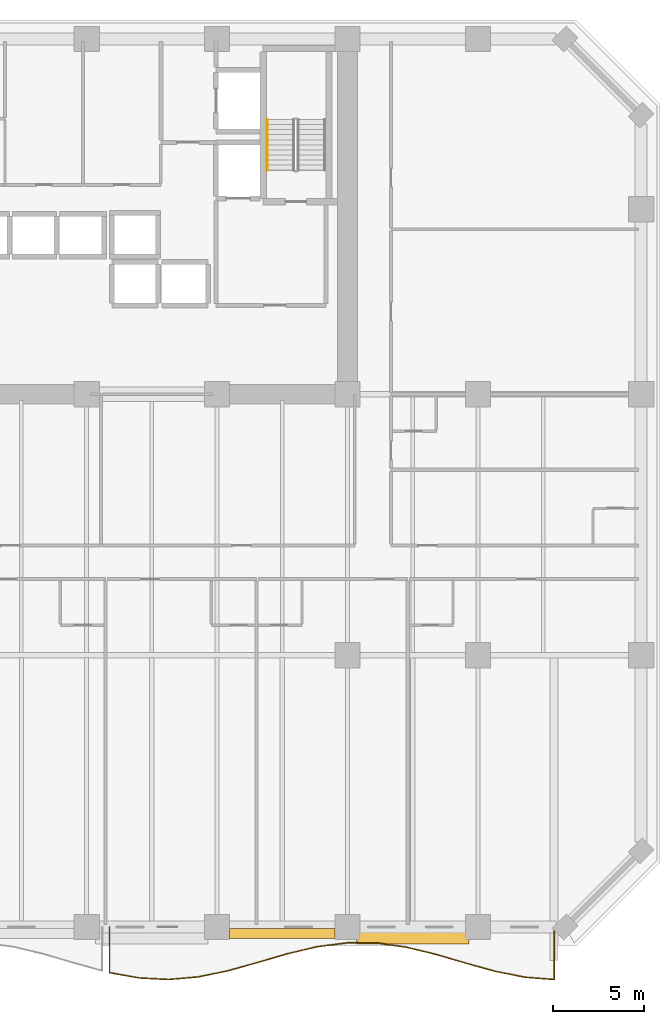
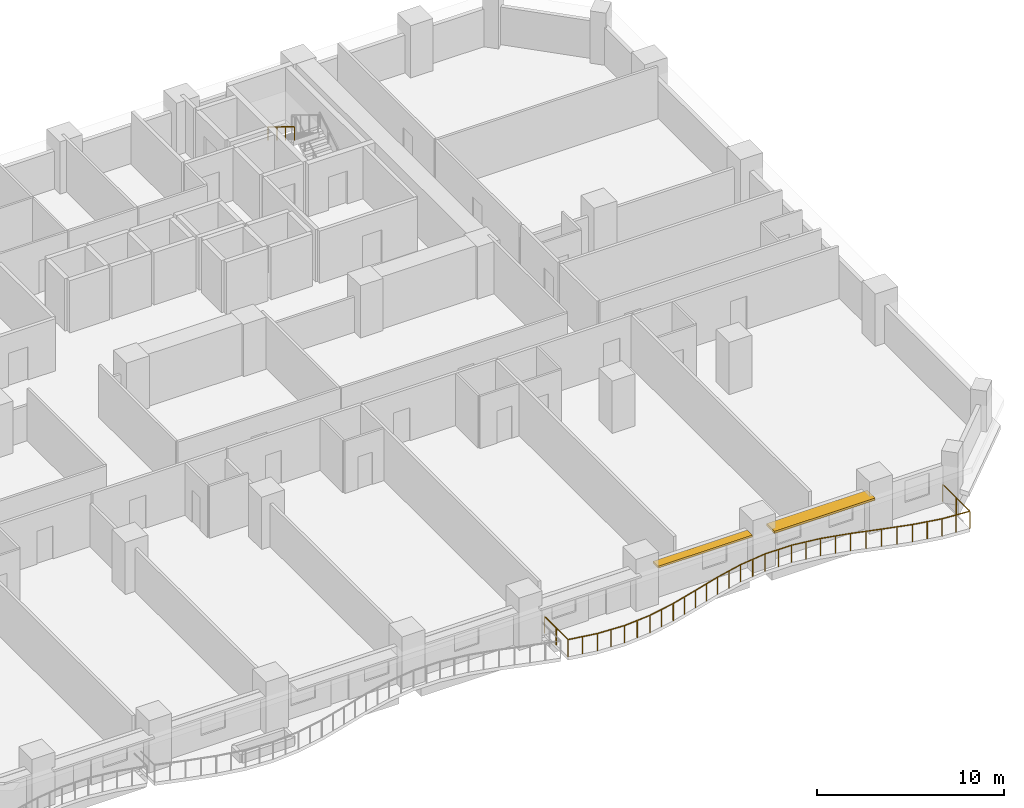
# One storey, part 13 of 14: 2 railings, 2 shading devices.
"""IFC4 building model written with IfcOpenShell, lengths in metres."""

from ifc_helpers import new_model, si_unit, direction, frame, origin, origin_2d, place, context, subcontext, project, spatial, rectangle, extrude, material, layer, layer_set, type_object, element, save


model = new_model("IFC4")

# Units and contexts
model_context = context("Model", 3, precision=1e-05, world=origin(), true_north=direction((0.0, 1.0)))
body_context = subcontext(model_context, "Body", "Model", "MODEL_VIEW")
ifc_project = project(units=[si_unit("LENGTHUNIT", "METRE"), si_unit("AREAUNIT", "SQUARE_METRE"), si_unit("VOLUMEUNIT", "CUBIC_METRE"), si_unit("PLANEANGLEUNIT", "RADIAN"), si_unit("MASSUNIT", "GRAM", prefix="KILO")], contexts=[model_context])

# Site, building, storey
site_placement = place(None, origin())
site = spatial("IfcSite", under=ifc_project, at=site_placement, CompositionType="ELEMENT")
building_placement = place(site_placement, origin())
building = spatial("IfcBuilding", under=site, at=building_placement, Name="Kaelvorn Grand Hotel", CompositionType="ELEMENT")
storey_placement = place(building_placement, frame((0.0, 0.0, 76.39990234375)))
storey = spatial("IfcBuildingStorey", under=building, at=storey_placement, Name="L17", CompositionType="ELEMENT", Elevation=76.39990234375)

# Railings
ifc_material_1 = material(Name="Stainless Steel", Category="steel")
railing_type_1 = type_object("IfcRailingType", Name="RL-BALC-1150", PredefinedType="BALUSTRADE", material=ifc_material_1)
railing_1_placement = place(storey_placement, frame((54.666748046875, 0.0, 0.0)))
element("IfcRailing", 1, at=railing_1_placement, inside=storey, type_object=railing_type_1, Name="L17 Scalloped Wave Balcony Balustrade GR1-3", PredefinedType="BALUSTRADE", context=body_context, shape_type="SweptSolid", body=[
    extrude(rectangle(XDim=0.048095703125, YDim=0.048095703125, at=origin_2d()), frame((0.0, 0.0, 1.1259765625), z_axis=(0.0, -1.0, 0.0), x_axis=(1.0, 0.0, 0.0)), (0.0, 0.0, 1.0), 2.521484375),
    extrude(rectangle(XDim=0.048095703125, YDim=0.048095703125, at=origin_2d()), frame((0.0, -2.521484375, 1.1259765625), z_axis=(0.984383042767, -0.176039839563, 0.0), x_axis=(0.176039839563, 0.984383042767, 0.0)), (0.0, 0.0, 1.0), 1.661376953125),
    extrude(rectangle(XDim=0.048095703125, YDim=0.048095703125, at=origin_2d()), frame((1.635498046875, -2.81396484375, 1.1259765625), z_axis=(0.998684141863, -0.05128337734, 0.0), x_axis=(0.05128337734, 0.998684141863, 0.0)), (0.0, 0.0, 1.0), 1.6376953125),
    extrude(rectangle(XDim=0.048095703125, YDim=0.048095703125, at=origin_2d()), frame((3.27099609375, -2.89794921875, 1.1259765625), z_axis=(0.996182895251, 0.087290544785, 0.0), x_axis=(-0.087290544785, 0.996182895251, 0.0)), (0.0, 0.0, 1.0), 1.641845703125),
    extrude(rectangle(XDim=0.048095703125, YDim=0.048095703125, at=origin_2d()), frame((4.906494140625, -2.754638671875, 1.1259765625), z_axis=(0.97923741506, 0.202716760401, 0.0), x_axis=(-0.202716760401, 0.97923741506, 0.0)), (0.0, 0.0, 1.0), 1.67041015625),
    extrude(rectangle(XDim=0.048095703125, YDim=0.048095703125, at=origin_2d()), frame((6.542236328125, -2.416015625, 1.1259765625), z_axis=(0.962804134231, 0.270200294425, 0.0), x_axis=(-0.270200294425, 0.962804134231, 0.0)), (0.0, 0.0, 1.0), 1.69873046875),
    extrude(rectangle(XDim=0.048095703125, YDim=0.048095703125, at=origin_2d()), frame((8.177734375, -1.95703125, 1.1259765625), z_axis=(0.959995184835, 0.280016508608, 0.0), x_axis=(-0.280016508608, 0.959995184835, 0.0)), (0.0, 0.0, 1.0), 1.70361328125),
    extrude(rectangle(XDim=0.048095703125, YDim=0.048095703125, at=origin_2d()), frame((9.813232421875, -1.47998046875, 1.1259765625), z_axis=(0.972806214685, 0.231620527306, 0.0), x_axis=(-0.231620527306, 0.972806214685, 0.0)), (0.0, 0.0, 1.0), 1.68115234375),
    extrude(rectangle(XDim=0.048095703125, YDim=0.048095703125, at=origin_2d()), frame((11.44873046875, -1.090576171875, 1.1259765625), z_axis=(0.99146537283, 0.130370297532, 0.0), x_axis=(-0.130370297532, 0.99146537283, 0.0)), (0.0, 0.0, 1.0), 1.64990234375),
    extrude(rectangle(XDim=0.048095703125, YDim=0.048095703125, at=origin_2d()), frame((13.08447265625, -0.87548828125, 1.1259765625), z_axis=(0.99999126505, -0.004179691808, 0.0), x_axis=(0.004179691808, 0.99999126505, 0.0)), (0.0, 0.0, 1.0), 1.635498046875),
    extrude(rectangle(XDim=0.048095703125, YDim=0.048095703125, at=origin_2d()), frame((14.719970703125, -0.88232421875, 1.1259765625), z_axis=(0.990480517275, -0.137652987249, 0.0), x_axis=(0.137652987249, 0.990480517275, 0.0)), (0.0, 0.0, 1.0), 1.651123046875),
    extrude(rectangle(XDim=0.048095703125, YDim=0.048095703125, at=origin_2d()), frame((16.35546875, -1.109619140625, 1.1259765625), z_axis=(0.971717100289, -0.2361479981, 0.0), x_axis=(0.2361479981, 0.971717100289, 0.0)), (0.0, 0.0, 1.0), 1.68310546875),
    extrude(rectangle(XDim=0.048095703125, YDim=0.048095703125, at=origin_2d()), frame((17.990966796875, -1.507080078125, 1.1259765625), z_axis=(0.959686524808, -0.28107254242, 0.0), x_axis=(0.28107254242, 0.959686524808, 0.0)), (0.0, 0.0, 1.0), 1.7041015625),
    extrude(rectangle(XDim=0.048095703125, YDim=0.048095703125, at=origin_2d()), frame((19.62646484375, -1.986083984375, 1.1259765625), z_axis=(0.963522030125, -0.267629029562, 0.0), x_axis=(0.267629029562, 0.963522030125, 0.0)), (0.0, 0.0, 1.0), 1.69775390625),
    extrude(rectangle(XDim=0.048095703125, YDim=0.048095703125, at=origin_2d()), frame((21.26220703125, -2.4404296875, 1.1259765625), z_axis=(0.980377518175, -0.197129200923, 0.0), x_axis=(0.197129200923, 0.980377518175, 0.0)), (0.0, 0.0, 1.0), 1.668212890625),
    extrude(rectangle(XDim=0.048095703125, YDim=0.048095703125, at=origin_2d()), frame((22.897705078125, -2.769287109375, 1.1259765625), z_axis=(0.996849725002, -0.079313465208, 0.0), x_axis=(0.079313465208, 0.996849725002, 0.0)), (0.0, 0.0, 1.0), 1.640625),
    extrude(rectangle(XDim=0.048095703125, YDim=0.048095703125, at=origin_2d()), frame((24.533203125, -2.8994140625, 1.1259765625), z_axis=(0.0, 1.0, 0.0), x_axis=(-1.0, 0.0, 0.0)), (0.0, 0.0, 1.0), 2.8994140625),
    extrude(rectangle(XDim=0.0419921875, YDim=0.0419921875, at=origin_2d()), origin(), (0.0, 0.0, 1.0), 1.101806640625),
    extrude(rectangle(XDim=0.0419921875, YDim=0.0419921875, at=origin_2d()), frame((0.0, -1.2607421875, 0.0)), (0.0, 0.0, 1.0), 1.101806640625),
    extrude(rectangle(XDim=0.0419921875, YDim=0.0419921875, at=origin_2d()), frame((0.0, -2.521484375, 0.0)), (0.0, 0.0, 1.0), 1.101806640625),
    extrude(rectangle(XDim=0.0419921875, YDim=0.0419921875, at=origin_2d()), frame((0.81787109375, -2.667724609375, 0.0)), (0.0, 0.0, 1.0), 1.101806640625),
    extrude(rectangle(XDim=0.0419921875, YDim=0.0419921875, at=origin_2d()), frame((1.635498046875, -2.81396484375, 0.0)), (0.0, 0.0, 1.0), 1.101806640625),
    extrude(rectangle(XDim=0.0419921875, YDim=0.0419921875, at=origin_2d()), frame((2.453125, -2.85595703125, 0.0)), (0.0, 0.0, 1.0), 1.101806640625),
    extrude(rectangle(XDim=0.0419921875, YDim=0.0419921875, at=origin_2d()), frame((3.27099609375, -2.89794921875, 0.0)), (0.0, 0.0, 1.0), 1.101806640625),
    extrude(rectangle(XDim=0.0419921875, YDim=0.0419921875, at=origin_2d()), frame((4.0888671875, -2.826171875, 0.0)), (0.0, 0.0, 1.0), 1.101806640625),
    extrude(rectangle(XDim=0.0419921875, YDim=0.0419921875, at=origin_2d()), frame((4.906494140625, -2.754638671875, 0.0)), (0.0, 0.0, 1.0), 1.101806640625),
    extrude(rectangle(XDim=0.0419921875, YDim=0.0419921875, at=origin_2d()), frame((5.724365234375, -2.58544921875, 0.0)), (0.0, 0.0, 1.0), 1.101806640625),
    extrude(rectangle(XDim=0.0419921875, YDim=0.0419921875, at=origin_2d()), frame((6.542236328125, -2.416015625, 0.0)), (0.0, 0.0, 1.0), 1.101806640625),
    extrude(rectangle(XDim=0.0419921875, YDim=0.0419921875, at=origin_2d()), frame((7.35986328125, -2.1865234375, 0.0)), (0.0, 0.0, 1.0), 1.101806640625),
    extrude(rectangle(XDim=0.0419921875, YDim=0.0419921875, at=origin_2d()), frame((8.177734375, -1.95703125, 0.0)), (0.0, 0.0, 1.0), 1.101806640625),
    extrude(rectangle(XDim=0.0419921875, YDim=0.0419921875, at=origin_2d()), frame((8.99560546875, -1.718505859375, 0.0)), (0.0, 0.0, 1.0), 1.101806640625),
    extrude(rectangle(XDim=0.0419921875, YDim=0.0419921875, at=origin_2d()), frame((9.813232421875, -1.47998046875, 0.0)), (0.0, 0.0, 1.0), 1.101806640625),
    extrude(rectangle(XDim=0.0419921875, YDim=0.0419921875, at=origin_2d()), frame((10.630859375, -1.28515625, 0.0)), (0.0, 0.0, 1.0), 1.101806640625),
    extrude(rectangle(XDim=0.0419921875, YDim=0.0419921875, at=origin_2d()), frame((11.44873046875, -1.090576171875, 0.0)), (0.0, 0.0, 1.0), 1.101806640625),
    extrude(rectangle(XDim=0.0419921875, YDim=0.0419921875, at=origin_2d()), frame((12.2666015625, -0.98291015625, 0.0)), (0.0, 0.0, 1.0), 1.101806640625),
    extrude(rectangle(XDim=0.0419921875, YDim=0.0419921875, at=origin_2d()), frame((13.08447265625, -0.87548828125, 0.0)), (0.0, 0.0, 1.0), 1.101806640625),
    extrude(rectangle(XDim=0.0419921875, YDim=0.0419921875, at=origin_2d()), frame((13.90234375, -0.87890625, 0.0)), (0.0, 0.0, 1.0), 1.101806640625),
    extrude(rectangle(XDim=0.0419921875, YDim=0.0419921875, at=origin_2d()), frame((14.719970703125, -0.88232421875, 0.0)), (0.0, 0.0, 1.0), 1.101806640625),
    extrude(rectangle(XDim=0.0419921875, YDim=0.0419921875, at=origin_2d()), frame((15.53759765625, -0.99609375, 0.0)), (0.0, 0.0, 1.0), 1.101806640625),
    extrude(rectangle(XDim=0.0419921875, YDim=0.0419921875, at=origin_2d()), frame((16.35546875, -1.109619140625, 0.0)), (0.0, 0.0, 1.0), 1.101806640625),
    extrude(rectangle(XDim=0.0419921875, YDim=0.0419921875, at=origin_2d()), frame((17.17333984375, -1.308349609375, 0.0)), (0.0, 0.0, 1.0), 1.101806640625),
    extrude(rectangle(XDim=0.0419921875, YDim=0.0419921875, at=origin_2d()), frame((17.990966796875, -1.507080078125, 0.0)), (0.0, 0.0, 1.0), 1.101806640625),
    extrude(rectangle(XDim=0.0419921875, YDim=0.0419921875, at=origin_2d()), frame((18.80859375, -1.74658203125, 0.0)), (0.0, 0.0, 1.0), 1.101806640625),
    extrude(rectangle(XDim=0.0419921875, YDim=0.0419921875, at=origin_2d()), frame((19.62646484375, -1.986083984375, 0.0)), (0.0, 0.0, 1.0), 1.101806640625),
    extrude(rectangle(XDim=0.0419921875, YDim=0.0419921875, at=origin_2d()), frame((20.4443359375, -2.21337890625, 0.0)), (0.0, 0.0, 1.0), 1.101806640625),
    extrude(rectangle(XDim=0.0419921875, YDim=0.0419921875, at=origin_2d()), frame((21.26220703125, -2.4404296875, 0.0)), (0.0, 0.0, 1.0), 1.101806640625),
    extrude(rectangle(XDim=0.0419921875, YDim=0.0419921875, at=origin_2d()), frame((22.080078125, -2.60498046875, 0.0)), (0.0, 0.0, 1.0), 1.101806640625),
    extrude(rectangle(XDim=0.0419921875, YDim=0.0419921875, at=origin_2d()), frame((22.897705078125, -2.769287109375, 0.0)), (0.0, 0.0, 1.0), 1.101806640625),
    extrude(rectangle(XDim=0.0419921875, YDim=0.0419921875, at=origin_2d()), frame((23.71533203125, -2.83447265625, 0.0)), (0.0, 0.0, 1.0), 1.101806640625),
    extrude(rectangle(XDim=0.0419921875, YDim=0.0419921875, at=origin_2d()), frame((24.533203125, -2.8994140625, 0.0)), (0.0, 0.0, 1.0), 1.101806640625),
    extrude(rectangle(XDim=0.0419921875, YDim=0.0419921875, at=origin_2d()), frame((24.533203125, -1.44970703125, 0.0)), (0.0, 0.0, 1.0), 1.101806640625),
    extrude(rectangle(XDim=0.0419921875, YDim=0.0419921875, at=origin_2d()), frame((24.533203125, 0.0, 0.0)), (0.0, 0.0, 1.0), 1.101806640625),
])
railing_type_2 = type_object("IfcRailingType", Name="RL-HANDRAIL-900", PredefinedType="HANDRAIL", material=ifc_material_1)
railing_2_placement = place(storey_placement, frame((63.3701171875, 44.56005859375, 2.045654296875)))
element("IfcRailing", 2, at=railing_2_placement, inside=storey, type_object=railing_type_2, Name="L17 ST3 stair handrail 2", PredefinedType="HANDRAIL", context=body_context, shape_type="SweptSolid", body=[
    extrude(rectangle(XDim=0.048095703125, YDim=0.048095703125, at=origin_2d()), frame((0.0, 0.0, 0.8759765625), z_axis=(0.0, -0.854202870247, 0.519939858505), x_axis=(1.0, 0.0, 0.0)), (0.0, 0.0, 1.0), 3.278076171875),
    extrude(rectangle(XDim=0.0419921875, YDim=0.0419921875, at=origin_2d()), origin(), (0.0, 0.0, 1.0), 0.851806640625),
    extrude(rectangle(XDim=0.0419921875, YDim=0.0419921875, at=origin_2d()), frame((0.0, -0.933349609375, 0.568115234375)), (0.0, 0.0, 1.0), 0.851806640625),
    extrude(rectangle(XDim=0.0419921875, YDim=0.0419921875, at=origin_2d()), frame((0.0, -1.86669921875, 1.13623046875)), (0.0, 0.0, 1.0), 0.851806640625),
    extrude(rectangle(XDim=0.0419921875, YDim=0.0419921875, at=origin_2d()), frame((0.0, -2.800048828125, 1.704345703125)), (0.0, 0.0, 1.0), 0.851806640625),
])

# Shading devices
ifc_material_2 = material(Name="Precast concrete C45/55", Category="concrete")
ifc_layer_1 = layer(ifc_material_2, 0.1201171875)
ifc_layer_set_1 = layer_set([ifc_layer_1], Name="Precast concrete C45/55")
shading_device_type_1 = type_object("IfcShadingDeviceType", Name="SHD-SUNSHADE-550", PredefinedType="USERDEFINED", material=ifc_layer_set_1)
shading_device_1_placement = place(storey_placement, frame((64.199951171875, -0.364990234375, 2.31005859375), z_axis=(0.0, 0.0, 1.0), x_axis=(1.0, 0.0, 0.0)))
element("IfcShadingDevice", 3, at=shading_device_1_placement, inside=storey, type_object=shading_device_type_1, Name="L17 Horizontal Concrete Sunshade Band SS-09", ObjectType="SUNSHADE", PredefinedType="USERDEFINED", context=body_context, shape_type="SweptSolid", body=[
    extrude(rectangle(XDim=5.800048828125, YDim=0.550048828125, at=origin_2d()), origin(), (0.0, 0.0, 1.0), 0.1201171875),
])
ifc_layer_2 = layer(ifc_material_2, 0.139892578125)
ifc_layer_set_2 = layer_set([ifc_layer_2], Name="Precast concrete C45/55")
shading_device_type_2 = type_object("IfcShadingDeviceType", Name="SHD-SUNSHADE-850", PredefinedType="USERDEFINED", material=ifc_layer_set_2)
shading_device_2_placement = place(storey_placement, frame((71.39990234375, -0.514892578125, 2.30029296875), z_axis=(0.0, 0.0, 1.0), x_axis=(1.0, 0.0, 0.0)))
element("IfcShadingDevice", 4, at=shading_device_2_placement, inside=storey, type_object=shading_device_type_2, Name="L17 Horizontal Concrete Sunshade Band SS-10", ObjectType="SUNSHADE", PredefinedType="USERDEFINED", context=body_context, shape_type="SweptSolid", body=[
    extrude(rectangle(XDim=6.199951171875, YDim=0.85009765625, at=origin_2d()), origin(), (0.0, 0.0, 1.0), 0.139892578125),
])

save(model, "model.ifc")
